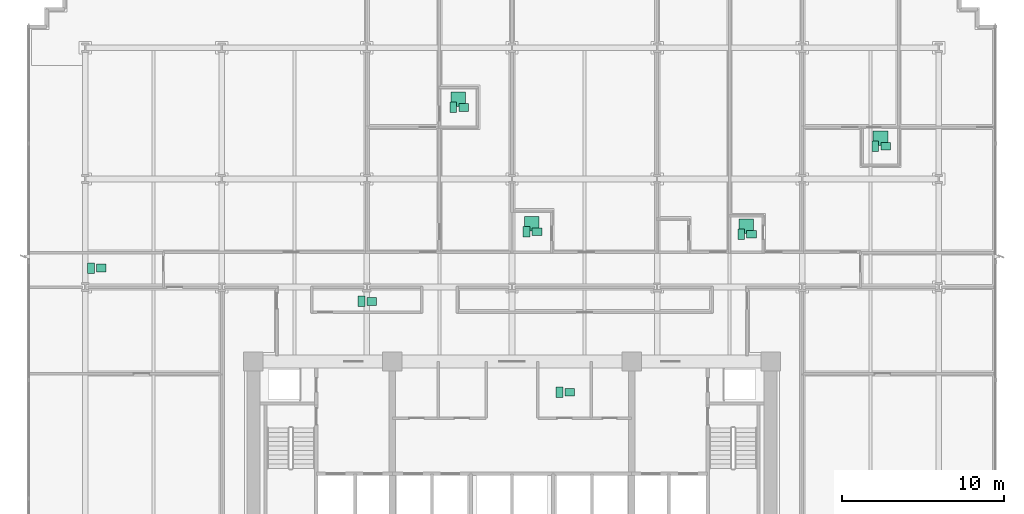
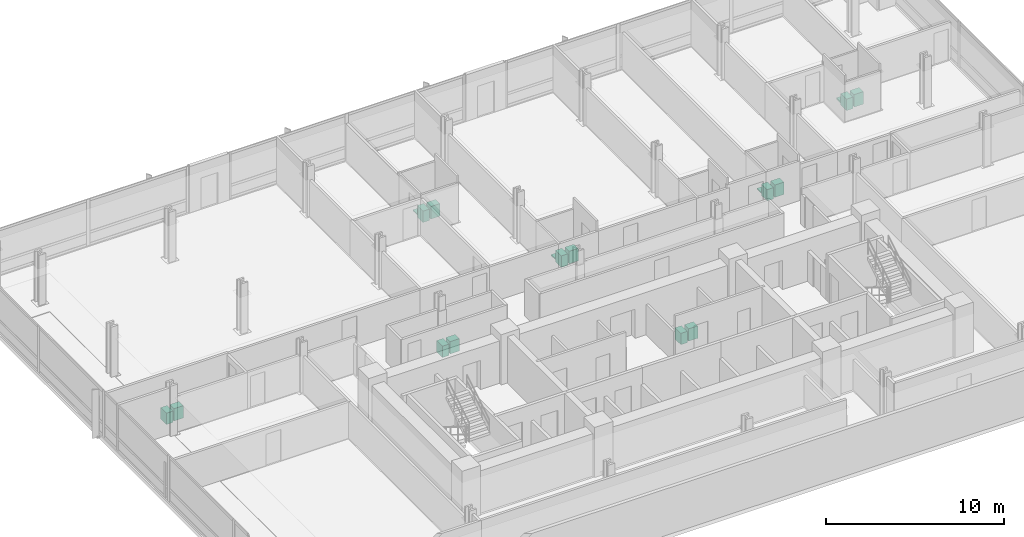
# One storey, part 18 of 18: 18 sanitary terminals.
"""IFC4 building model written with IfcOpenShell, lengths in metres."""

from ifc_helpers import new_model, si_unit, direction, frame, origin, origin_2d, place, context, subcontext, project, spatial, rectangle, extrude, material, type_object, element, save


model = new_model("IFC4")

# Units and contexts
model_context = context("Model", 3, precision=1e-05, world=origin(), true_north=direction((0.0, 1.0)))
body_context = subcontext(model_context, "Body", "Model", "MODEL_VIEW")
ifc_project = project(units=[si_unit("LENGTHUNIT", "METRE"), si_unit("AREAUNIT", "SQUARE_METRE"), si_unit("VOLUMEUNIT", "CUBIC_METRE"), si_unit("PLANEANGLEUNIT", "RADIAN"), si_unit("MASSUNIT", "GRAM", prefix="KILO")], contexts=[model_context])

# Site, building, storey
site_placement = place(None, origin())
site = spatial("IfcSite", under=ifc_project, at=site_placement, CompositionType="ELEMENT")
building_placement = place(site_placement, origin())
building = spatial("IfcBuilding", under=site, at=building_placement, Name="Solmavex Isthmus Hotel", CompositionType="ELEMENT")
storey_placement = place(building_placement, frame((0.0, 0.0, 43.64990234375)))
storey = spatial("IfcBuildingStorey", under=building, at=storey_placement, Name="L11", CompositionType="ELEMENT", Elevation=43.64990234375)

# Sanitary terminals
ifc_material = material(Name="Vitreous china ceramic", Category="ceramic")
sanitary_terminal_type_1 = type_object("IfcSanitaryTerminalType", Name="SAN-BASIN", PredefinedType="WASHHANDBASIN", material=ifc_material)
for number, where, z_axis, x_axis, name in (
    (1, (3.570068359375, -4.409912109375, 0.0), (0.0, 0.0, 1.0), (1.0, 0.0, 0.0), "Vanity Washbasin L11-49"),
    (2, (-2.992919921875, 13.212890625, 0.0), (0.0, 0.0, 1.0), (1.0, 0.0, 0.0), "Vanity Washbasin L11-50"),
    (3, (1.544921875, 5.52490234375, 0.0), (0.0, 0.0, 1.0), (1.0, 0.0, 0.0), "Vanity Washbasin L11-51"),
    (4, (14.816162109375, 5.375, 0.0), (0.0, 0.0, 1.0), (1.0, 0.0, 0.0), "Vanity Washbasin L11-52"),
    (5, (23.111083984375, 10.81298828125, 0.0), (0.0, 0.0, 1.0), (1.0, 0.0, 0.0), "Vanity Washbasin L11-53"),
    (6, (-8.666015625, 1.21240234375, 0.0), (0.0, 0.0, 1.0), (1.0, 0.0, 0.0), "Vanity Washbasin L11-54"),
    (7, (-25.39599609375, 3.277587890625, 0.0), (0.0, 0.0, 1.0), (1.0, 0.0, 0.0), "Vanity Washbasin L11-55"),
):
    element("IfcSanitaryTerminal", number, at=place(storey_placement, frame(where, z_axis=z_axis, x_axis=x_axis)), inside=storey, type_object=sanitary_terminal_type_1, Name=name, PredefinedType="WASHHANDBASIN", context=body_context, shape_type="SweptSolid", body=[
        extrude(rectangle(XDim=0.60009765625, YDim=0.47998046875, at=origin_2d()), origin(), (0.0, 0.0, 1.0), 0.85009765625),
    ])
sanitary_terminal_type_2 = type_object("IfcSanitaryTerminalType", Name="SAN-SHOWER", PredefinedType="SHOWER", material=ifc_material)
for number, where, z_axis, x_axis, name in (
    (8, (-3.31298828125, 13.712890625, 0.0), (0.0, 0.0, 1.0), (1.0, 0.0, 0.0), "Walk-In Shower L11-50"),
    (9, (1.22509765625, 6.02490234375, 0.0), (0.0, 0.0, 1.0), (1.0, 0.0, 0.0), "Walk-In Shower L11-51"),
    (10, (14.49609375, 5.875, 0.0), (0.0, 0.0, 1.0), (1.0, 0.0, 0.0), "Walk-In Shower L11-52"),
    (11, (22.791015625, 11.31298828125, 0.0), (0.0, 0.0, 1.0), (1.0, 0.0, 0.0), "Walk-In Shower L11-53"),
):
    element("IfcSanitaryTerminal", number, at=place(storey_placement, frame(where, z_axis=z_axis, x_axis=x_axis)), inside=storey, type_object=sanitary_terminal_type_2, Name=name, PredefinedType="SHOWER", context=body_context, shape_type="SweptSolid", body=[
        extrude(rectangle(XDim=0.89990234375, YDim=0.89990234375, at=origin_2d()), origin(), (0.0, 0.0, 1.0), 0.080078125),
    ])
sanitary_terminal_type_3 = type_object("IfcSanitaryTerminalType", Name="SAN-WC-SUITE", PredefinedType="TOILETPAN", material=ifc_material)
for number, where, z_axis, x_axis, name in (
    (12, (2.929931640625, -4.409912109375, 0.0), (0.0, 0.0, 1.0), (1.0, 0.0, 0.0), "Water Closet L11-49"),
    (13, (-3.633056640625, 13.212890625, 0.0), (0.0, 0.0, 1.0), (1.0, 0.0, 0.0), "Water Closet L11-50"),
    (14, (0.905029296875, 5.52490234375, 0.0), (0.0, 0.0, 1.0), (1.0, 0.0, 0.0), "Water Closet L11-51"),
    (15, (14.17626953125, 5.375, 0.0), (0.0, 0.0, 1.0), (1.0, 0.0, 0.0), "Water Closet L11-52"),
    (16, (22.470947265625, 10.81298828125, 0.0), (0.0, 0.0, 1.0), (1.0, 0.0, 0.0), "Water Closet L11-53"),
    (17, (-9.305908203125, 1.21240234375, 0.0), (0.0, 0.0, 1.0), (1.0, 0.0, 0.0), "Water Closet L11-54"),
    (18, (-26.035888671875, 3.277587890625, 0.0), (0.0, 0.0, 1.0), (1.0, 0.0, 0.0), "Water Closet L11-55"),
):
    element("IfcSanitaryTerminal", number, at=place(storey_placement, frame(where, z_axis=z_axis, x_axis=x_axis)), inside=storey, type_object=sanitary_terminal_type_3, Name=name, PredefinedType="TOILETPAN", context=body_context, shape_type="SweptSolid", body=[
        extrude(rectangle(XDim=0.419921875, YDim=0.64990234375, at=origin_2d()), origin(), (0.0, 0.0, 1.0), 0.780029296875),
    ])

save(model, "model.ifc")
